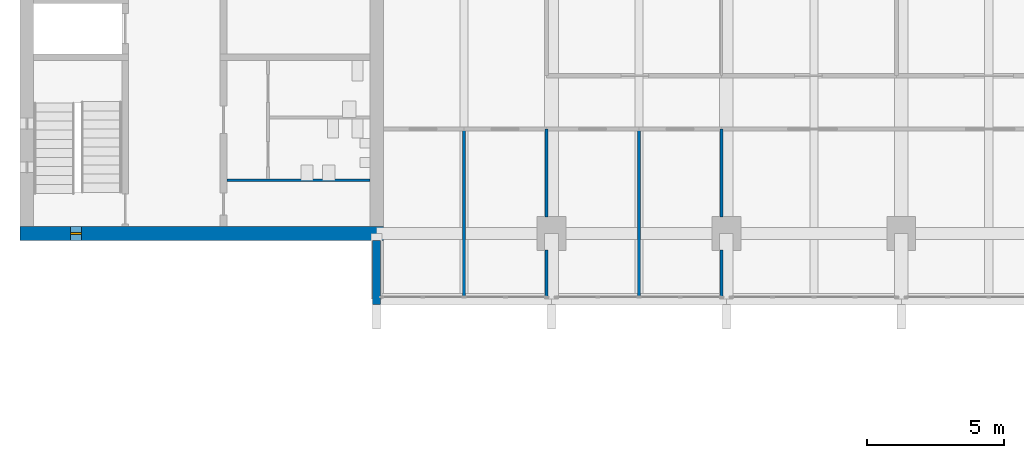
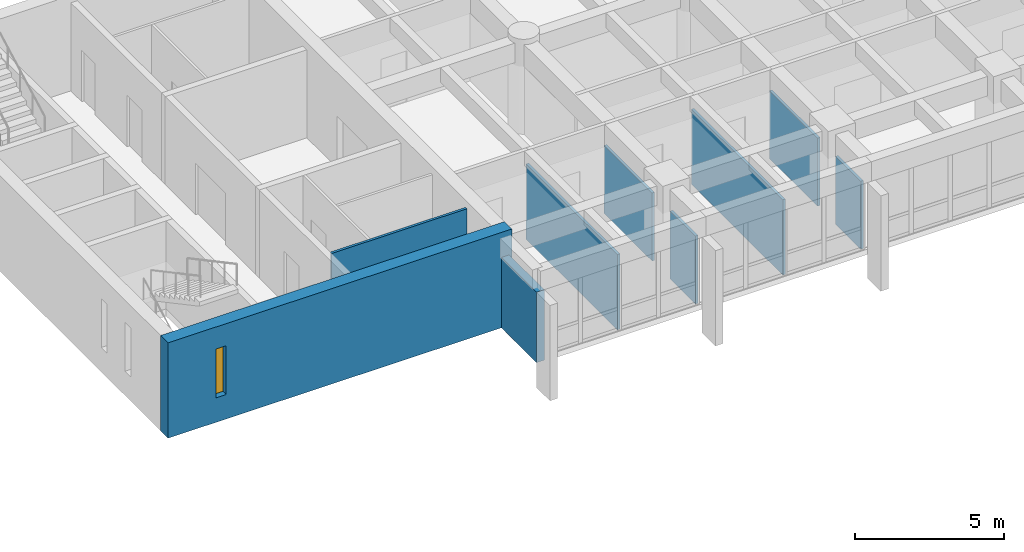
# One storey, part 10 of 19: 9 walls, 1 window, 1 opening.
"""IFC4 building model written with IfcOpenShell, lengths in metres."""

from ifc_helpers import new_model, si_unit, direction, frame, frame_2d, origin, place, context, subcontext, project, spatial, rectangle, extrude, material, layer, layer_set, type_object, element, fill, save


model = new_model("IFC4")

# Units and contexts
model_context = context("Model", 3, precision=1e-05, world=origin(), true_north=direction((0.0, 1.0)))
body_context = subcontext(model_context, "Body", "Model", "MODEL_VIEW")
ifc_project = project(units=[si_unit("LENGTHUNIT", "METRE"), si_unit("AREAUNIT", "SQUARE_METRE"), si_unit("VOLUMEUNIT", "CUBIC_METRE"), si_unit("PLANEANGLEUNIT", "RADIAN"), si_unit("MASSUNIT", "GRAM", prefix="KILO")], contexts=[model_context])

# Site, building, storey
site_placement = place(None, origin())
site = spatial("IfcSite", under=ifc_project, at=site_placement, CompositionType="ELEMENT")
building_placement = place(site_placement, origin())
building = spatial("IfcBuilding", under=site, at=building_placement, Name="Fogon Plaza Fire Station and Headquarters Tower", CompositionType="ELEMENT")
storey_placement = place(building_placement, frame((0.0, 0.0, 24.89990234375)))
storey = spatial("IfcBuildingStorey", under=building, at=storey_placement, Name="L06", CompositionType="ELEMENT", Elevation=24.89990234375)

# Walls
ifc_material_1 = material(Name="Concrete C40", Category="concrete")
ifc_layer_1 = layer(ifc_material_1, 0.300048828125)
ifc_layer_set_1 = layer_set([ifc_layer_1], Name="Concrete C40")
wall_type_1 = type_object("IfcWallType", Name="Fair-faced RC Return Panel 300", PredefinedType="SOLIDWALL", material=ifc_layer_set_1)
wall_1_placement = place(storey_placement, frame((25.60009765625, 31.0, 0.0), z_axis=(0.0, 0.0, 1.0), x_axis=(0.0, 1.0, 0.0)))
element("IfcWall", 1, at=wall_1_placement, inside=storey, type_object=wall_type_1, Name="Bar end return WS L06", PredefinedType="SOLIDWALL", context=body_context, shape_type="SweptSolid", body=[
    extrude(rectangle(XDim=2.35009765625, YDim=0.300048828125, at=frame_2d((1.175048828125, 0.0))), origin(), (0.0, 0.0, 1.0), 2.880126953125),
])
ifc_material_2 = material(Name="Blockwork", Category="masonry")
ifc_layer_2 = layer(ifc_material_2, 0.10009765625)
ifc_layer_set_2 = layer_set([ifc_layer_2], Name="Blockwork")
wall_type_2 = type_object("IfcWallType", Name="Partition Blockwork 100", PredefinedType="PARTITIONING", material=ifc_layer_set_2)
wall_2_placement = place(storey_placement, frame((20.125, 35.550048828125, 0.0), z_axis=(0.0, 0.0, 1.0), x_axis=(1.0, 0.0, 0.0)))
element("IfcWall", 2, at=wall_2_placement, inside=storey, type_object=wall_type_2, Name="Cleaner's store partition", PredefinedType="PARTITIONING", context=body_context, shape_type="SweptSolid", body=[
    extrude(rectangle(XDim=5.22509765625, YDim=0.10009765625, at=frame_2d((2.612548828125, 0.0))), origin(), (0.0, 0.0, 1.0), 3.60009765625),
])

# Wall, opening, window
ifc_material_3 = material(Name="Concrete C40", Category="concrete")
ifc_layer_3 = layer(ifc_material_3, 0.5)
ifc_layer_set_3 = layer_set([ifc_layer_3], Name="Concrete C40")
wall_type_3 = type_object("IfcWallType", Name="Shear wall 500 SW50", PredefinedType="SHEAR", material=ifc_layer_set_3)
wall_3_placement = place(storey_placement, frame((12.550048828125, 33.60009765625, 0.0), z_axis=(0.0, 0.0, 1.0), x_axis=(1.0, 0.0, 0.0)))
wall_3 = element("IfcWall", 3, at=wall_3_placement, inside=storey, type_object=wall_type_3, Name="wall-coreA-S-L06", PredefinedType="SHEAR", context=body_context, shape_type="SweptSolid", body=[
    extrude(rectangle(XDim=13.300048828125, YDim=0.5, at=frame_2d((6.64990234375, 0.0))), origin(), (0.0, 0.0, 1.0), 3.900146484375),
])
opening_placement = place(wall_3_placement, frame((1.85009765625, 0.0, 1.0)))
opening = element("IfcOpeningElement", 4, at=opening_placement, cuts=wall_3, Name="Opening WS1", PredefinedType="OPENING", context=body_context, shape_type="SweptSolid", body=[
    extrude(rectangle(XDim=0.39990234375, YDim=2.0, at=frame_2d((0.199951171875, 1.0))), frame((0.0, 0.260009765625, 0.0), z_axis=(0.0, -1.0, 0.0), x_axis=(1.0, 0.0, 0.0)), (0.0, 0.0, 1.0), 0.52001953125),
])
ifc_material_4 = material(Name="Aluminium framed double glazing", Category="aluminium")
window_type = type_object("IfcWindowType", Name="Slit Window WS1 400x2000", PartitioningType="SINGLE_PANEL", PredefinedType="WINDOW", material=ifc_material_4)
window_placement = place(opening_placement, origin())
window = element("IfcWindow", 5, at=window_placement, inside=storey, type_object=window_type, Name="Slit window A5 L06", OverallHeight=2.0, OverallWidth=0.39990234375, PartitioningType="SINGLE_PANEL", PredefinedType="WINDOW", context=body_context, shape_type="SweptSolid", body=[
    extrude(rectangle(XDim=0.39990234375, YDim=2.0, at=frame_2d((0.199951171875, 1.0))), frame((0.0, 0.030029296875, 0.0), z_axis=(0.0, -1.0, 0.0), x_axis=(1.0, 0.0, 0.0)), (0.0, 0.0, 1.0), 0.06005859375),
])
fill(opening, window)

# Walls
ifc_material_5 = material(Name="Gypsum board on steel stud", Category="steel")
ifc_layer_4 = layer(ifc_material_5, 0.10009765625)
ifc_layer_set_4 = layer_set([ifc_layer_4], Name="Gypsum board on steel stud")
wall_type_4 = type_object("IfcWallType", Name="Tower office partition 100 Beam Head 600", PredefinedType="PARTITIONING", material=ifc_layer_set_4)
for number, where, z_axis, x_axis, name in (
    (6, (28.800048828125, 31.300048828125, 0.0), (0.0, 0.0, 1.0), (0.0, 1.0, 0.0), "part-L06-08"),
    (7, (35.199951171875, 31.300048828125, 0.0), (0.0, 0.0, 1.0), (0.0, 1.0, 0.0), "part-L06-11"),
):
    element("IfcWall", number, at=place(storey_placement, frame(where, z_axis=z_axis, x_axis=x_axis)), inside=storey, type_object=wall_type_4, Name=name, PredefinedType="PARTITIONING", context=body_context, shape_type="SweptSolid", body=[
        extrude(rectangle(XDim=6.125, YDim=0.10009765625, at=frame_2d((3.0625, 0.0))), origin(), (0.0, 0.0, 1.0), 3.080078125),
    ])
ifc_material_6 = material(Name="Gypsum board on steel stud", Category="steel")
ifc_layer_5 = layer(ifc_material_6, 0.10009765625)
ifc_layer_set_5 = layer_set([ifc_layer_5], Name="Gypsum board on steel stud")
wall_type_5 = type_object("IfcWallType", Name="Tower office partition 100 Beam Head 900", PredefinedType="PARTITIONING", material=ifc_layer_set_5)
wall_4_placement = place(storey_placement, frame((31.820068359375, 31.300048828125, 0.0), z_axis=(0.0, 0.0, 1.0), x_axis=(0.0, 1.0, 0.0)))
element("IfcWall", 8, at=wall_4_placement, inside=storey, type_object=wall_type_5, Name="part-L06-09", PredefinedType="PARTITIONING", context=body_context, shape_type="SweptSolid", body=[
    extrude(rectangle(XDim=1.695068359375, YDim=0.10009765625, at=frame_2d((0.84765625, 0.0))), origin(), (0.0, 0.0, 1.0), 2.780029296875),
])
wall_5_placement = place(storey_placement, frame((31.820068359375, 34.205078125, 0.0), z_axis=(0.0, 0.0, 1.0), x_axis=(0.0, 1.0, 0.0)))
element("IfcWall", 9, at=wall_5_placement, inside=storey, type_object=wall_type_5, Name="part-L06-10", PredefinedType="PARTITIONING", context=body_context, shape_type="SweptSolid", body=[
    extrude(rectangle(XDim=3.219970703125, YDim=0.10009765625, at=frame_2d((1.60986328125, 0.0))), origin(), (0.0, 0.0, 1.0), 2.780029296875),
])
wall_6_placement = place(storey_placement, frame((38.219970703125, 31.300048828125, 0.0), z_axis=(0.0, 0.0, 1.0), x_axis=(0.0, 1.0, 0.0)))
element("IfcWall", 10, at=wall_6_placement, inside=storey, type_object=wall_type_5, Name="part-L06-12", PredefinedType="PARTITIONING", context=body_context, shape_type="SweptSolid", body=[
    extrude(rectangle(XDim=1.695068359375, YDim=0.10009765625, at=frame_2d((0.84765625, 0.0))), origin(), (0.0, 0.0, 1.0), 2.780029296875),
])
wall_7_placement = place(storey_placement, frame((38.219970703125, 34.205078125, 0.0), z_axis=(0.0, 0.0, 1.0), x_axis=(0.0, 1.0, 0.0)))
element("IfcWall", 11, at=wall_7_placement, inside=storey, type_object=wall_type_5, Name="part-L06-13", PredefinedType="PARTITIONING", context=body_context, shape_type="SweptSolid", body=[
    extrude(rectangle(XDim=3.219970703125, YDim=0.10009765625, at=frame_2d((1.60986328125, 0.0))), origin(), (0.0, 0.0, 1.0), 2.780029296875),
])

save(model, "model.ifc")
